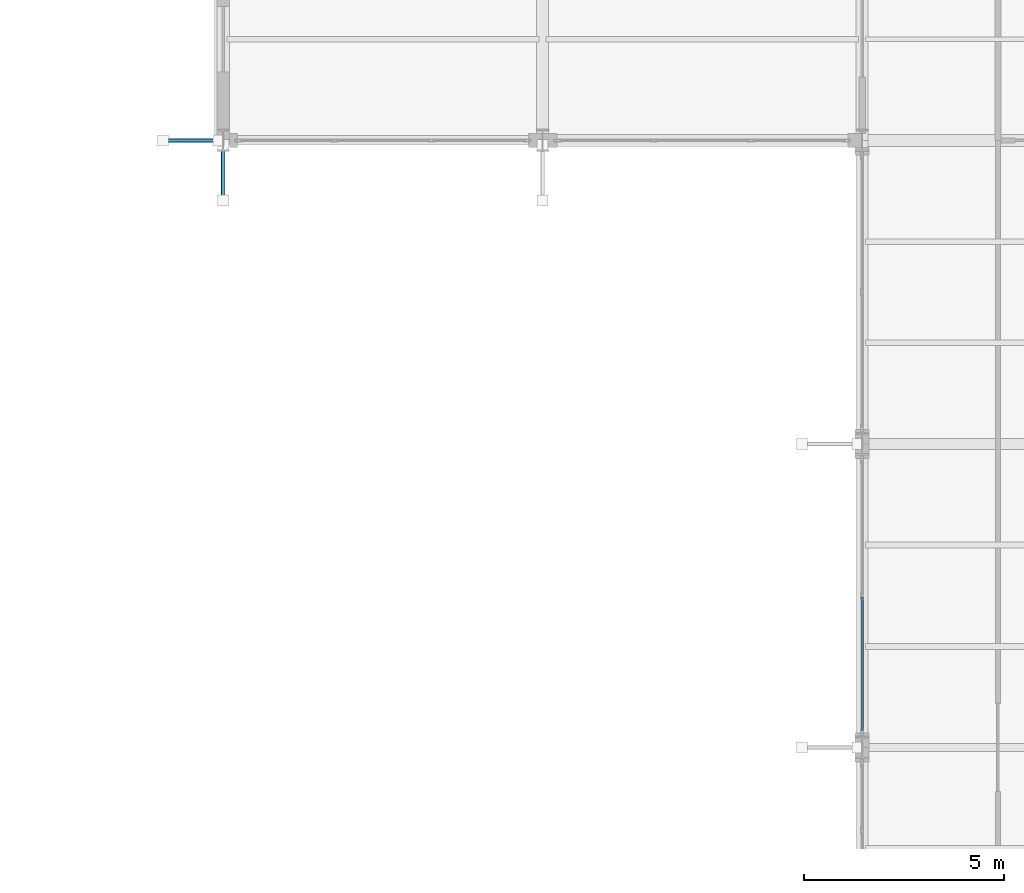
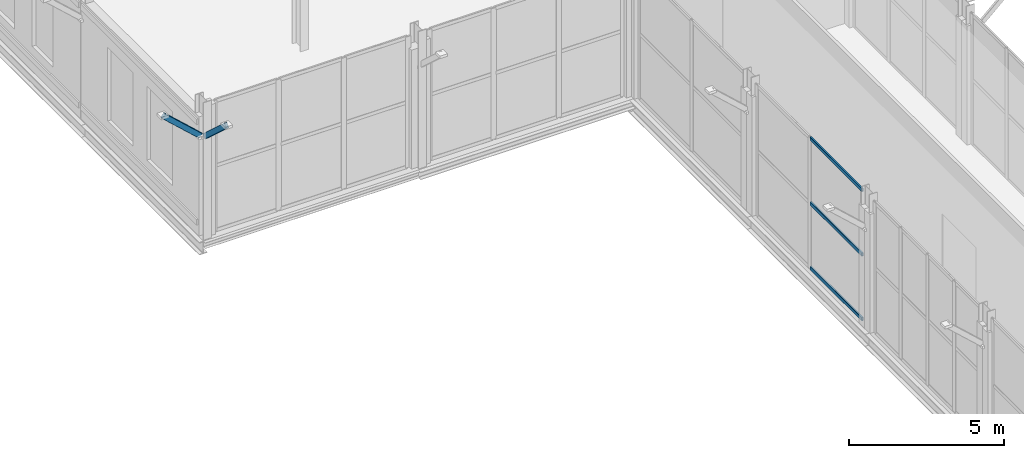
# One storey, part 66 of 147: 5 members, 1 element without a shape of its own.
"""IFC4 building model written with IfcOpenShell, lengths in metres."""

from ifc_helpers import new_model, si_unit, direction, frame, origin, origin_2d, place, context, subcontext, project, spatial, hollow_rectangle, extrude, material, layer, layer_set, material_profile, profile_set, type_object, element, aggregate, save


model = new_model("IFC4")

# Units and contexts
model_context = context("Model", 3, precision=1e-05, world=origin(), true_north=direction((0.0, 1.0)))
body_context = subcontext(model_context, "Body", "Model", "MODEL_VIEW")
ifc_project = project(units=[si_unit("LENGTHUNIT", "METRE"), si_unit("AREAUNIT", "SQUARE_METRE"), si_unit("VOLUMEUNIT", "CUBIC_METRE"), si_unit("PLANEANGLEUNIT", "RADIAN"), si_unit("MASSUNIT", "GRAM", prefix="KILO")], contexts=[model_context])

# Site, building, storey
site_placement = place(None, origin())
site = spatial("IfcSite", under=ifc_project, at=site_placement, CompositionType="ELEMENT")
building_placement = place(site_placement, origin())
building = spatial("IfcBuilding", under=site, at=building_placement, Name="Vekula Escarpment Museum", CompositionType="ELEMENT")
storey_placement = place(building_placement, frame((0.0, 0.0, 7.800048828125)))
storey = spatial("IfcBuildingStorey", under=building, at=storey_placement, Name="L02", CompositionType="ELEMENT", Elevation=7.800048828125)

# Curtain wall, members
ifc_material_1 = material(Name="Aluminium thermally broken framing", Category="aluminium")
ifc_layer = layer(ifc_material_1, 0.179931640625)
ifc_layer_set = layer_set([ifc_layer], Name="Aluminium thermally broken framing")
curtain_wall_type = type_object("IfcCurtainWallType", Name="CW-SYS-08", PredefinedType="NOTDEFINED", material=ifc_layer_set)
curtain_wall_placement = place(storey_placement, origin())
curtain_wall = element("IfcCurtainWall", 1, at=curtain_wall_placement, inside=storey, type_object=curtain_wall_type, Name="Curtain Wall CW-L02-088", PredefinedType="NOTDEFINED")
ifc_material_2 = material(Name="Aluminium anodized transom", Category="aluminium")
ifc_material_profile_1 = material_profile(ifc_material_2, hollow_rectangle(XDim=0.06494140625, YDim=0.139892578125, WallThickness=0.00390625, InnerFilletRadius=0.00390625, OuterFilletRadius=0.008056640625, at=origin_2d()), Name="ALU 140x65x4")
ifc_profile_set_1 = profile_set([ifc_material_profile_1], Name="Aluminium anodized transom")
member_type_1 = type_object("IfcMemberType", Name="CW-TRN-140", PredefinedType="USERDEFINED", material=ifc_profile_set_1)
member_1_placement = place(storey_placement, frame((94.0, 109.367431640625, 0.032470703125), z_axis=(0.0, -1.0, 0.0), x_axis=(1.0, 0.0, 0.0)))
member_1 = element("IfcMember", 2, at=member_1_placement, type_object=member_type_1, Name="CW-08 transom 2.1", ObjectType="TRANSOM", PredefinedType="USERDEFINED", context=body_context, shape_type="SweptSolid", body=[
    extrude(hollow_rectangle(XDim=0.06494140625, YDim=0.139892578125, WallThickness=0.00390625, InnerFilletRadius=0.00390625, OuterFilletRadius=0.008056640625, at=origin_2d()), origin(), (0.0, 0.0, 1.0), 3.342529296875),
])
member_2_placement = place(storey_placement, frame((94.0, 109.367431640625, 2.574951171875), z_axis=(0.0, -1.0, 0.0), x_axis=(1.0, 0.0, 0.0)))
member_2 = element("IfcMember", 3, at=member_2_placement, type_object=member_type_1, Name="CW-08 transom 2.2", ObjectType="TRANSOM", PredefinedType="USERDEFINED", context=body_context, shape_type="SweptSolid", body=[
    extrude(hollow_rectangle(XDim=0.06494140625, YDim=0.139892578125, WallThickness=0.00390625, InnerFilletRadius=0.00390625, OuterFilletRadius=0.008056640625, at=origin_2d()), origin(), (0.0, 0.0, 1.0), 3.342529296875),
])
member_3_placement = place(storey_placement, frame((94.0, 109.367431640625, 5.117431640625), z_axis=(0.0, -1.0, 0.0), x_axis=(1.0, 0.0, 0.0)))
member_3 = element("IfcMember", 4, at=member_3_placement, type_object=member_type_1, Name="CW-08 transom 2.3", ObjectType="TRANSOM", PredefinedType="USERDEFINED", context=body_context, shape_type="SweptSolid", body=[
    extrude(hollow_rectangle(XDim=0.06494140625, YDim=0.139892578125, WallThickness=0.00390625, InnerFilletRadius=0.00390625, OuterFilletRadius=0.008056640625, at=origin_2d()), origin(), (0.0, 0.0, 1.0), 3.342529296875),
])
aggregate(curtain_wall, [member_1, member_2, member_3])

# Members
ifc_material_3 = material(Name="Steel S355", Category="steel")
ifc_material_profile_2 = material_profile(ifc_material_3, hollow_rectangle(XDim=0.10009765625, YDim=0.199951171875, WallThickness=0.008056640625, InnerFilletRadius=0.008056640625, OuterFilletRadius=0.01611328125, at=origin_2d()), Name="RHS 200x100x8")
ifc_profile_set_2 = profile_set([ifc_material_profile_2], Name="Steel S355")
member_type_2 = type_object("IfcMemberType", Name="MB-SACAK-BRK", PredefinedType="STRUT", material=ifc_profile_set_2)
for number, where, z_axis, x_axis, name in (
    (5, (77.8798828125, 120.800048828125, 3.949951171875), (-0.738454378718, 0.0, 0.674303441006), (0.0, -1.0, 0.0), "Ottoman Sacak Eave Bracket L03-0049"),
    (6, (78.0, 120.679931640625, 3.949951171875), (0.0, -0.738454378718, 0.674303441006), (1.0, 0.0, 0.0), "Ottoman Sacak Eave Bracket L03-0050"),
):
    element("IfcMember", number, at=place(storey_placement, frame(where, z_axis=z_axis, x_axis=x_axis)), inside=storey, type_object=member_type_2, Name=name, PredefinedType="STRUT", context=body_context, shape_type="SweptSolid", body=[
        extrude(hollow_rectangle(XDim=0.10009765625, YDim=0.199951171875, WallThickness=0.008056640625, InnerFilletRadius=0.008056640625, OuterFilletRadius=0.01611328125, at=origin_2d()), origin(), (0.0, 0.0, 1.0), 1.86865234375),
    ])

save(model, "model.ifc")
